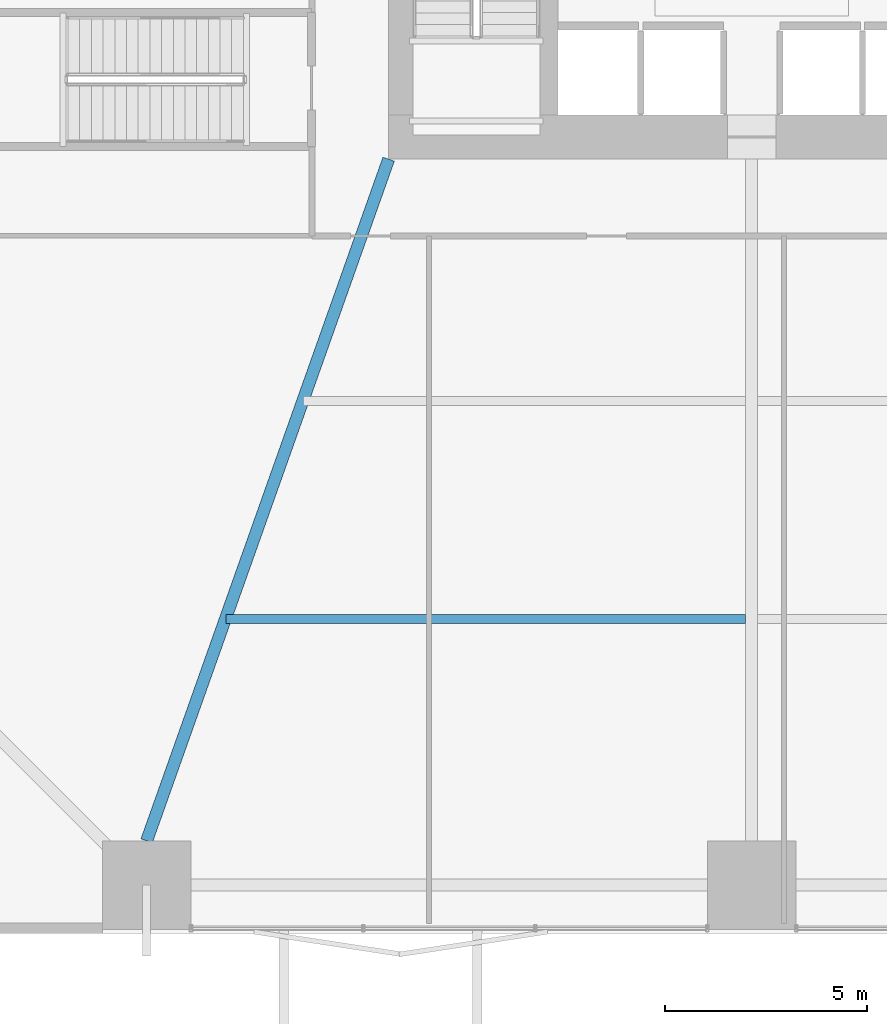
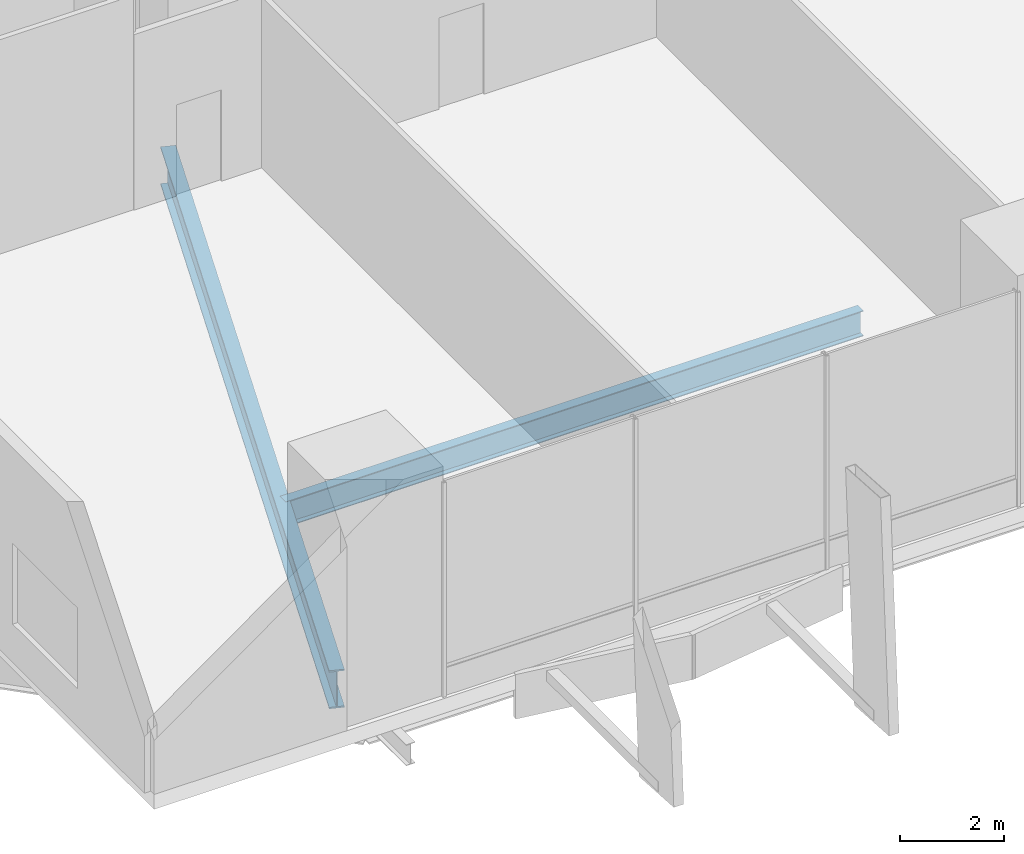
# One storey, part 3 of 24: 2 beams.
"""IFC4 building model written with IfcOpenShell, lengths in metres."""

from ifc_helpers import new_model, si_unit, direction, frame, origin, origin_2d, place, context, subcontext, project, spatial, i_section, extrude, material, material_profile, profile_set, type_object, element, save


model = new_model("IFC4")

# Units and contexts
model_context = context("Model", 3, precision=1e-05, world=origin(), true_north=direction((0.0, 1.0)))
body_context = subcontext(model_context, "Body", "Model", "MODEL_VIEW")
ifc_project = project(units=[si_unit("LENGTHUNIT", "METRE"), si_unit("AREAUNIT", "SQUARE_METRE"), si_unit("VOLUMEUNIT", "CUBIC_METRE"), si_unit("PLANEANGLEUNIT", "RADIAN"), si_unit("MASSUNIT", "GRAM", prefix="KILO")], contexts=[model_context])

# Site, building, storey
site_placement = place(None, origin())
site = spatial("IfcSite", under=ifc_project, at=site_placement, CompositionType="ELEMENT")
building_placement = place(site_placement, origin())
building = spatial("IfcBuilding", under=site, at=building_placement, Name="Belovzor Exchange Tower", CompositionType="ELEMENT")
storey_placement = place(building_placement, frame((0.0, 0.0, 13.800048828125)))
storey = spatial("IfcBuildingStorey", under=building, at=storey_placement, Name="L03", CompositionType="ELEMENT", Elevation=13.800048828125)

# Beams
ifc_material_1 = material(Name="Steel S460", Category="steel")
ifc_material_profile_1 = material_profile(ifc_material_1, i_section(OverallWidth=0.300048828125, OverallDepth=0.89990234375, WebThickness=0.0185546875, FlangeThickness=0.034912109375, at=origin_2d()))
ifc_profile_set_1 = profile_set([ifc_material_profile_1], Name="Steel S460")
beam_type_1 = type_object("IfcBeamType", Name="Podium Radial Clear-Span Girder HEB 900", PredefinedType="BEAM", material=ifc_profile_set_1)
beam_1_placement = place(storey_placement, frame((19.800048828125, 19.800048828125, -0.800048828125), z_axis=(-0.334567025634, -0.94237195701, 0.0), x_axis=(0.94237195701, -0.334567025634, 0.0)))
element("IfcBeam", 1, at=beam_1_placement, inside=storey, type_object=beam_type_1, Name="PG-2 Podium Radial Clear-Span Girder HEB 900", PredefinedType="BEAM", context=body_context, shape_type="SweptSolid", body=[
    extrude(i_section(OverallWidth=0.300048828125, OverallDepth=0.89990234375, WebThickness=0.0185546875, FlangeThickness=0.034912109375, at=origin_2d()), origin(), (0.0, 0.0, 1.0), 17.93359375),
])
ifc_material_2 = material(Name="Steel S355", Category="steel")
ifc_material_profile_2 = material_profile(ifc_material_2, i_section(OverallWidth=0.219970703125, OverallDepth=0.60009765625, WebThickness=0.011962890625, FlangeThickness=0.01904296875, at=origin_2d()))
ifc_profile_set_2 = profile_set([ifc_material_profile_2], Name="Steel S355")
beam_type_2 = type_object("IfcBeamType", Name="Podium Secondary Composite Floor Beam IPE 600", PredefinedType="BEAM", material=ifc_profile_set_2)
beam_2_placement = place(storey_placement, frame((15.77294921875, 8.39990234375, -0.650146484375), z_axis=(1.0, 0.0, 0.0), x_axis=(0.0, 1.0, 0.0)))
element("IfcBeam", 2, at=beam_2_placement, inside=storey, type_object=beam_type_2, Name="FB-600 Podium Secondary Composite Floor Beam IPE 600", PredefinedType="BEAM", context=body_context, shape_type="SweptSolid", body=[
    extrude(i_section(OverallWidth=0.219970703125, OverallDepth=0.60009765625, WebThickness=0.011962890625, FlangeThickness=0.01904296875, at=origin_2d()), origin(), (0.0, 0.0, 1.0), 12.876953125),
])

save(model, "model.ifc")
